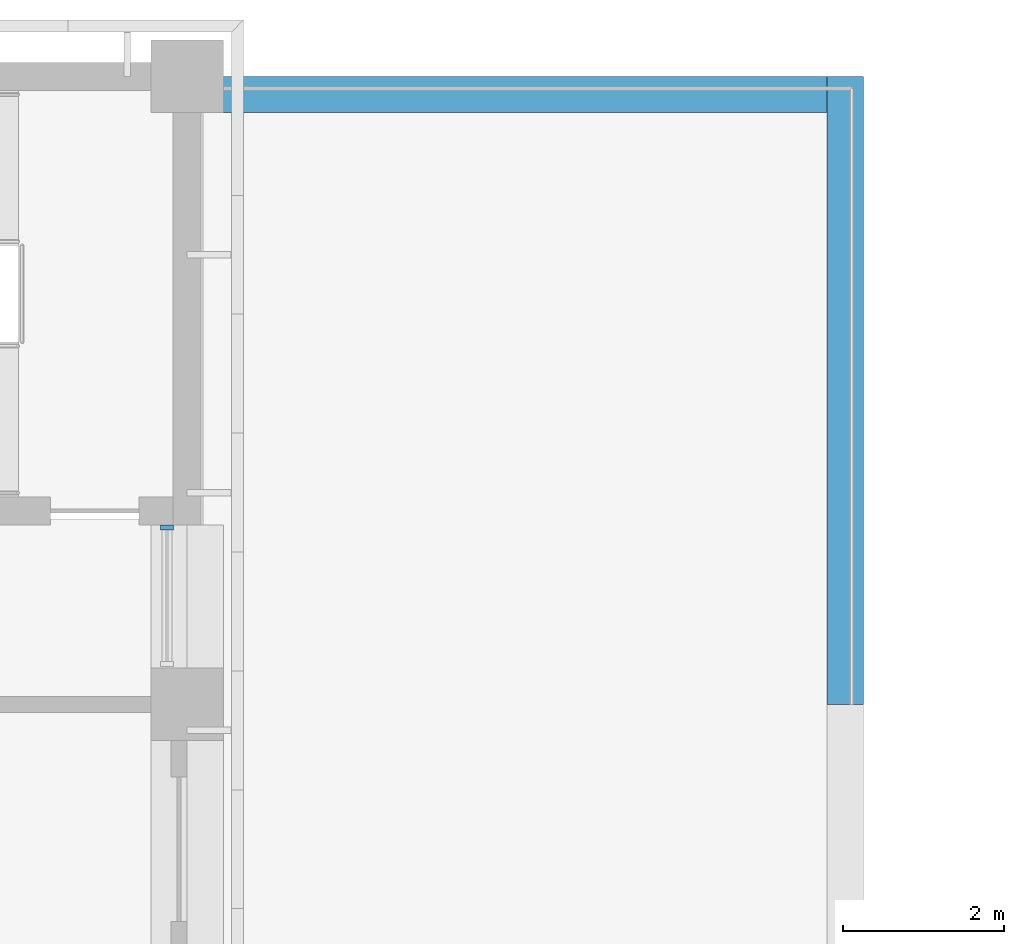
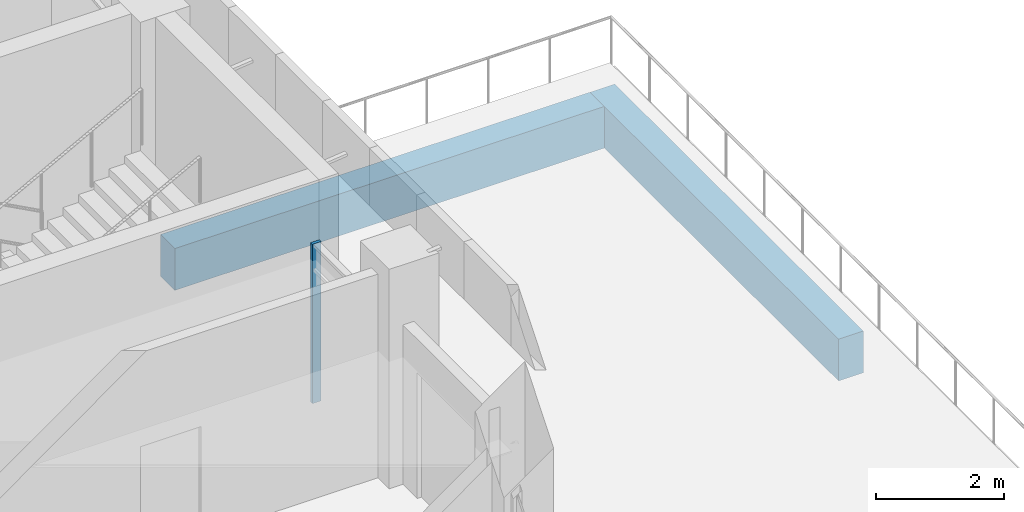
# One storey, part 46 of 137: 2 beams, 1 member, 1 element without a shape of its own.
"""IFC4 building model written with IfcOpenShell, lengths in metres."""

from ifc_helpers import new_model, si_unit, direction, frame, origin, origin_2d, place, context, subcontext, project, spatial, rectangle, extrude, material, material_profile, profile_set, type_object, element, aggregate, save


model = new_model("IFC4")

# Units and contexts
model_context = context("Model", 3, precision=1e-05, world=origin(), true_north=direction((0.0, 1.0)))
body_context = subcontext(model_context, "Body", "Model", "MODEL_VIEW")
ifc_project = project(units=[si_unit("LENGTHUNIT", "METRE"), si_unit("AREAUNIT", "SQUARE_METRE"), si_unit("VOLUMEUNIT", "CUBIC_METRE"), si_unit("PLANEANGLEUNIT", "RADIAN"), si_unit("MASSUNIT", "GRAM", prefix="KILO")], contexts=[model_context])

# Site, building, storey
site_placement = place(None, origin())
site = spatial("IfcSite", under=ifc_project, at=site_placement, CompositionType="ELEMENT")
building_placement = place(site_placement, origin())
building = spatial("IfcBuilding", under=site, at=building_placement, Name="Bougainvillea Quay General Hospital", CompositionType="ELEMENT")
storey_placement = place(building_placement, frame((0.0, 0.0, 16.800048828125)))
storey = spatial("IfcBuildingStorey", under=building, at=storey_placement, Name="L03", CompositionType="ELEMENT", Elevation=16.800048828125)

# Curtain wall, member
ifc_material_1 = material(Name="Aluminium curtain wall system, powder-coated glazed", Category="aluminium")
curtain_wall_type = type_object("IfcCurtainWallType", Name="Unitised curtain wall CW-1755", PredefinedType="NOTDEFINED", material=ifc_material_1)
curtain_wall_placement = place(storey_placement, origin())
curtain_wall = element("IfcCurtainWall", 1, at=curtain_wall_placement, inside=storey, type_object=curtain_wall_type, Name="CW-4200 02", PredefinedType="NOTDEFINED")
ifc_material_2 = material(Name="Aluminium mullion, powder-coated charcoal", Category="aluminium")
ifc_material_profile_1 = material_profile(ifc_material_2, rectangle(XDim=0.159912109375, YDim=0.06005859375, at=origin_2d()))
ifc_profile_set_1 = profile_set([ifc_material_profile_1], Name="Aluminium mullion, powder-coated charcoal")
member_type = type_object("IfcMemberType", Name="Curtain wall mullion 160x60", PredefinedType="MULLION", material=ifc_profile_set_1)
member_placement = place(storey_placement, frame((184.550048828125, 153.9951171875, 0.0), z_axis=(0.0, 0.0, 1.0), x_axis=(-1.0, 0.0, 0.0)))
member = element("IfcMember", 2, at=member_placement, type_object=member_type, Name="CW-4200 mullion 2", PredefinedType="MULLION", context=body_context, shape_type="SweptSolid", body=[
    extrude(rectangle(XDim=0.159912109375, YDim=0.06005859375, at=origin_2d()), origin(), (0.0, 0.0, 1.0), 3.050048828125),
])
aggregate(curtain_wall, [member])

# Beams
ifc_material_3 = material(Name="Concrete C40", Category="concrete")
ifc_material_profile_2 = material_profile(ifc_material_3, rectangle(XDim=0.449951171875, YDim=0.800048828125, at=origin_2d()))
ifc_profile_set_2 = profile_set([ifc_material_profile_2], Name="Concrete C40")
beam_type = type_object("IfcBeamType", Name="RC BEAM 450x800 C40", PredefinedType="BEAM", material=ifc_profile_set_2)
beam_1_placement = place(storey_placement, frame((192.97509765625, 151.800048828125, -0.75), z_axis=(0.0, 1.0, 0.0), x_axis=(-1.0, 0.0, 0.0)))
element("IfcBeam", 3, at=beam_1_placement, inside=storey, type_object=beam_type, Name="Edge beam L03", PredefinedType="BEAM", context=body_context, shape_type="SweptSolid", body=[
    extrude(rectangle(XDim=0.449951171875, YDim=0.800048828125, at=origin_2d()), origin(), (0.0, 0.0, 1.0), 7.800048828125),
])
beam_2_placement = place(storey_placement, frame((193.199951171875, 159.375, -0.75), z_axis=(-1.0, 0.0, 0.0), x_axis=(0.0, -1.0, 0.0)))
element("IfcBeam", 4, at=beam_2_placement, inside=storey, type_object=beam_type, Name="Edge beam L03", PredefinedType="BEAM", context=body_context, shape_type="SweptSolid", body=[
    extrude(rectangle(XDim=0.449951171875, YDim=0.800048828125, at=origin_2d()), origin(), (0.0, 0.0, 1.0), 8.224853515625),
])

save(model, "model.ifc")
